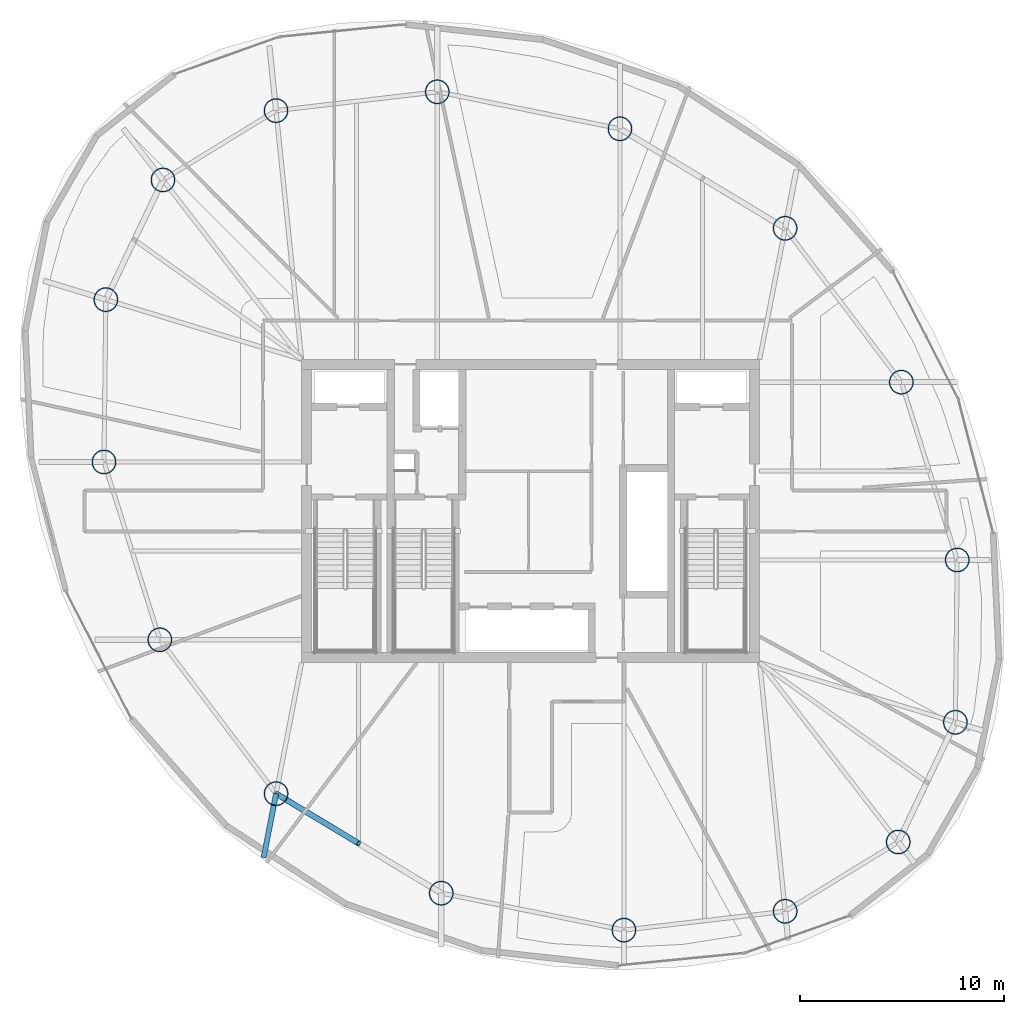
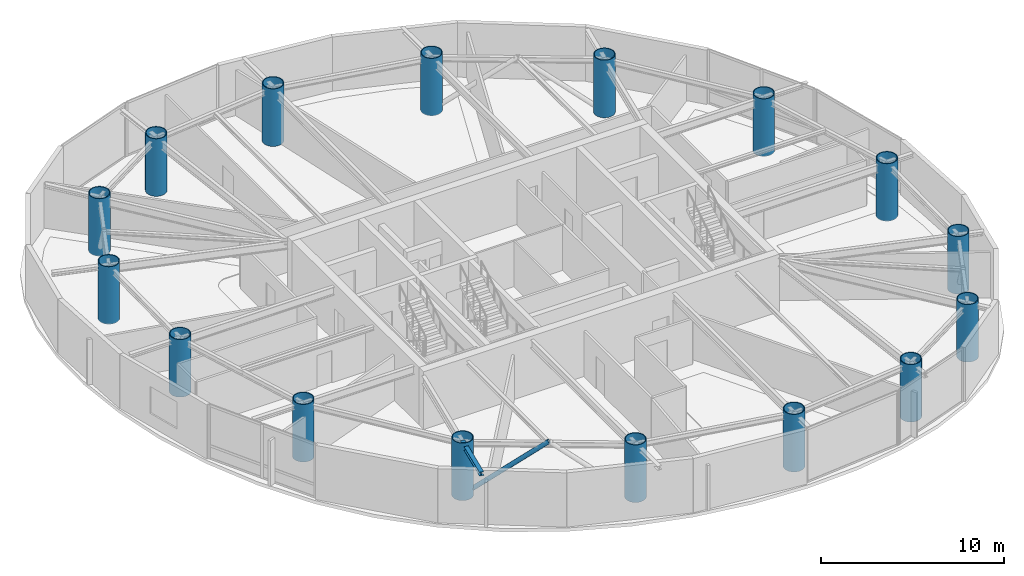
# One storey, part 1 of 23: 16 columns, 1 beam, 1 member.
"""IFC4 building model written with IfcOpenShell, lengths in metres."""

from ifc_helpers import new_model, si_unit, direction, frame, origin, origin_2d, place, context, subcontext, project, spatial, hollow_circle, i_section, extrude, material, material_profile, profile_set, type_object, element, save


model = new_model("IFC4")

# Units and contexts
model_context = context("Model", 3, precision=1e-05, world=origin(), true_north=direction((0.0, 1.0)))
body_context = subcontext(model_context, "Body", "Model", "MODEL_VIEW")
ifc_project = project(units=[si_unit("LENGTHUNIT", "METRE"), si_unit("AREAUNIT", "SQUARE_METRE"), si_unit("VOLUMEUNIT", "CUBIC_METRE"), si_unit("PLANEANGLEUNIT", "RADIAN"), si_unit("MASSUNIT", "GRAM", prefix="KILO")], contexts=[model_context])

# Site, building, storey
site_placement = place(None, origin())
site = spatial("IfcSite", under=ifc_project, at=site_placement, CompositionType="ELEMENT")
building_placement = place(site_placement, origin())
building = spatial("IfcBuilding", under=site, at=building_placement, Name="Bramvorn Convention Spire", CompositionType="ELEMENT")
storey_placement = place(building_placement, frame((0.0, 0.0, 194.300048828125)))
storey = spatial("IfcBuildingStorey", under=building, at=storey_placement, Name="L49", CompositionType="ELEMENT", Elevation=194.300048828125)

# Columns
ifc_material = material(Name="Steel CSA G40.21 Grade 350 (350W)", Category="steel")
ifc_material_profile_1 = material_profile(ifc_material, hollow_circle(Radius=0.60009765625, WallThickness=0.050048828125, at=origin_2d()))
ifc_profile_set_1 = profile_set([ifc_material_profile_1], Name="Steel CSA G40.21 Grade 350 (350W) - CFT1200X50")
column_type = type_object("IfcColumnType", Name="COL-CFT1200X50", PredefinedType="COLUMN", material=ifc_profile_set_1)
for number, where, z_axis, x_axis, name in (
    (1, (56.058349609375, 9.739990234375, 0.0), (0.0, 0.0, 1.0), (1.0, 0.0, 0.0), "L49 composite CFT mega-column MC01"),
    (2, (58.863037109375, 15.619384765625, 0.0), (0.0, 0.0, 1.0), (1.0, 0.0, 0.0), "L49 composite CFT mega-column MC02"),
    (3, (58.95458984375, 23.593505859375, 0.0), (0.0, 0.0, 1.0), (1.0, 0.0, 0.0), "L49 composite CFT mega-column MC03"),
    (4, (56.21044921875, 32.327392578125, 0.0), (0.0, 0.0, 1.0), (1.0, 0.0, 0.0), "L49 composite CFT mega-column MC04"),
    (5, (50.501953125, 39.885009765625, 0.0), (0.0, 0.0, 1.0), (1.0, 0.0, 0.0), "L49 composite CFT mega-column MC05"),
    (6, (42.38916015625, 44.772216796875, 0.0), (0.0, 0.0, 1.0), (1.0, 0.0, 0.0), "L49 composite CFT mega-column MC06"),
    (7, (33.416259765625, 46.58837890625, 0.0), (0.0, 0.0, 1.0), (1.0, 0.0, 0.0), "L49 composite CFT mega-column MC07"),
    (8, (25.49560546875, 45.663818359375, 0.0), (0.0, 0.0, 1.0), (1.0, 0.0, 0.0), "L49 composite CFT mega-column MC08"),
    (9, (19.941650390625, 42.260009765625, 0.0), (0.0, 0.0, 1.0), (1.0, 0.0, 0.0), "L49 composite CFT mega-column MC09"),
    (10, (17.136962890625, 36.380615234375, 0.0), (0.0, 0.0, 1.0), (1.0, 0.0, 0.0), "L49 composite CFT mega-column MC10"),
    (11, (17.04541015625, 28.406494140625, 0.0), (0.0, 0.0, 1.0), (1.0, 0.0, 0.0), "L49 composite CFT mega-column MC11"),
    (12, (19.78955078125, 19.672607421875, 0.0), (0.0, 0.0, 1.0), (1.0, 0.0, 0.0), "L49 composite CFT mega-column MC12"),
    (13, (25.498046875, 12.114990234375, 0.0), (0.0, 0.0, 1.0), (1.0, 0.0, 0.0), "L49 composite CFT mega-column MC13"),
    (14, (33.61083984375, 7.227783203125, 0.0), (0.0, 0.0, 1.0), (1.0, 0.0, 0.0), "L49 composite CFT mega-column MC14"),
    (15, (42.583740234375, 5.41162109375, 0.0), (0.0, 0.0, 1.0), (1.0, 0.0, 0.0), "L49 composite CFT mega-column MC15"),
    (16, (50.50439453125, 6.336181640625, 0.0), (0.0, 0.0, 1.0), (1.0, 0.0, 0.0), "L49 composite CFT mega-column MC16"),
):
    element("IfcColumn", number, at=place(storey_placement, frame(where, z_axis=z_axis, x_axis=x_axis)), inside=storey, type_object=column_type, Name=name, PredefinedType="COLUMN", context=body_context, shape_type="SweptSolid", body=[
        extrude(hollow_circle(Radius=0.60009765625, WallThickness=0.050048828125, at=origin_2d()), origin(), (0.0, 0.0, 1.0), 3.849853515625),
    ])

# Beam
ifc_material_profile_2 = material_profile(ifc_material, i_section(OverallWidth=0.25390625, OverallDepth=0.2529296875, WebThickness=0.008544921875, FlangeThickness=0.01416015625, FilletRadius=0.011962890625, at=origin_2d()))
ifc_profile_set_2 = profile_set([ifc_material_profile_2], Name="Steel CSA G40.21 Grade 350 (350W) - W250X73")
beam_type = type_object("IfcBeamType", Name="BM-W250X73", PredefinedType="BEAM", material=ifc_profile_set_2)
beam_placement = place(storey_placement, frame((25.498046875, 12.114990234375, 3.493408203125), z_axis=(-0.190977895588, -0.981594337492, 0.0), x_axis=(0.981594337492, -0.190977895588, 0.0)))
element("IfcBeam", 17, at=beam_placement, inside=storey, type_object=beam_type, Name="L49 slab-edge cantilever tip beam MC13", PredefinedType="BEAM", context=body_context, shape_type="SweptSolid", body=[
    extrude(i_section(OverallWidth=0.25390625, OverallDepth=0.2529296875, WebThickness=0.008544921875, FlangeThickness=0.01416015625, FilletRadius=0.011962890625, at=origin_2d()), origin(), (0.0, 0.0, 1.0), 3.19970703125),
])

# Member
ifc_material_profile_3 = material_profile(ifc_material, hollow_circle(Radius=0.136474609375, WallThickness=0.0126953125, at=origin_2d()))
ifc_profile_set_3 = profile_set([ifc_material_profile_3], Name="Steel CSA G40.21 Grade 350 (350W) - CHS273X13")
member_type = type_object("IfcMemberType", Name="MBR-CHS273X13", PredefinedType="BRACE", material=ifc_profile_set_3)
member_placement = place(storey_placement, frame((25.498046875, 12.114990234375, 0.0), z_axis=(0.680532253799, -0.409957708593, 0.607297726577), x_axis=(0.516011266543, 0.856581795745, 0.0)))
element("IfcMember", 18, at=member_placement, inside=storey, type_object=member_type, Name="L49 perimeter Gothic lancet brace 13A", PredefinedType="BRACE", context=body_context, shape_type="SweptSolid", body=[
    extrude(hollow_circle(Radius=0.136474609375, WallThickness=0.0126953125, at=origin_2d()), origin(), (0.0, 0.0, 1.0), 5.960693359375),
])

save(model, "model.ifc")
